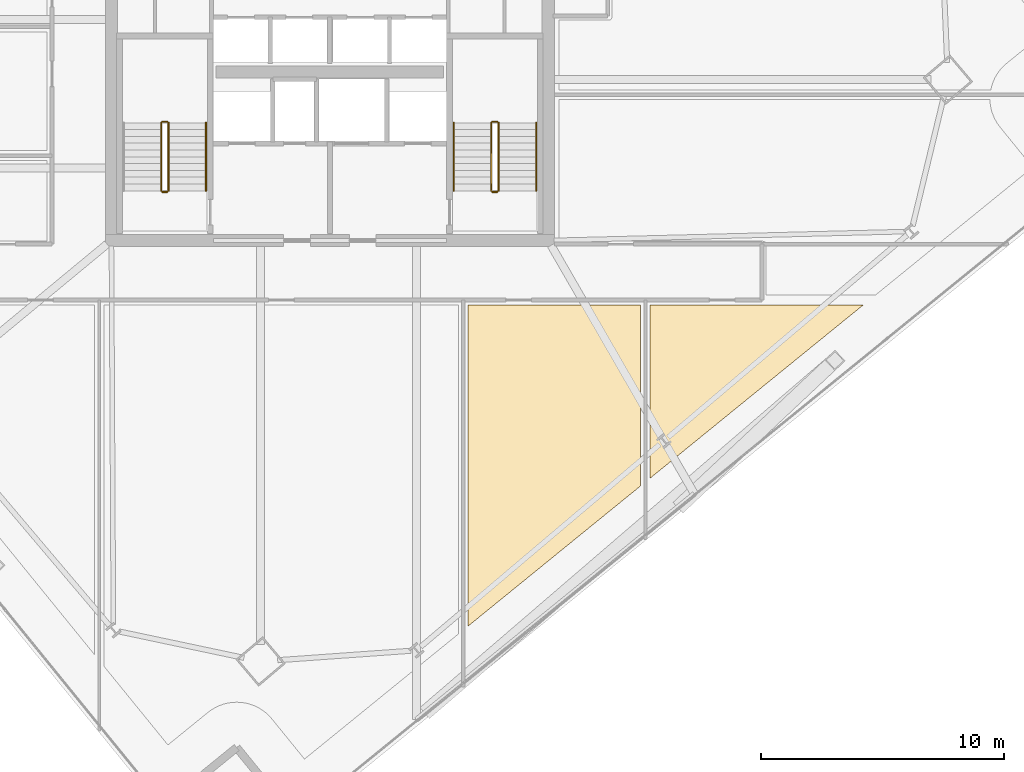
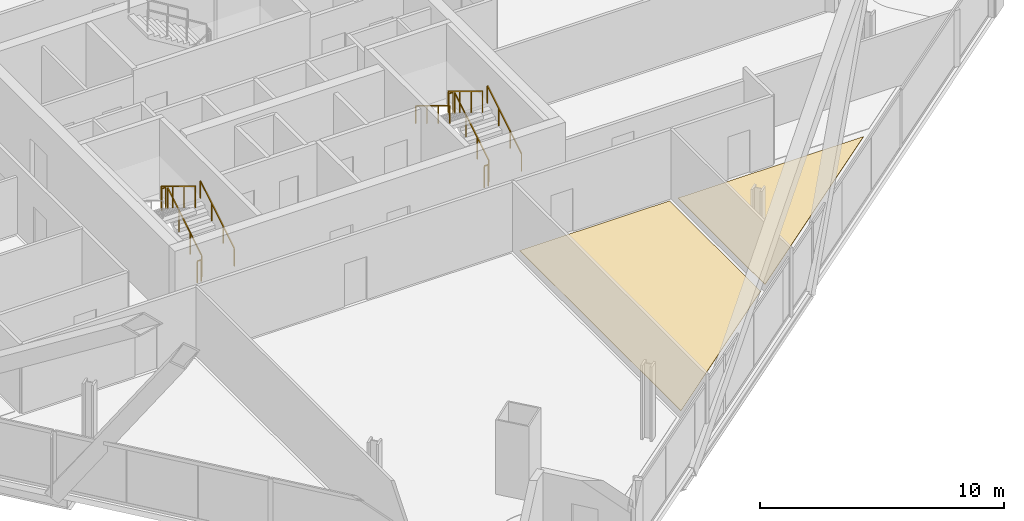
# One storey, part 33 of 36: 11 railings, 2 coverings.
"""IFC4 building model written with IfcOpenShell, lengths in metres."""

from ifc_helpers import new_model, si_unit, direction, frame, origin, origin_2d, place, context, subcontext, project, spatial, polyline, rectangle, outline, extrude, material, layer, layer_set, type_object, element, save


model = new_model("IFC4")

# Units and contexts
model_context = context("Model", 3, precision=1e-05, world=origin(), true_north=direction((0.0, 1.0)))
body_context = subcontext(model_context, "Body", "Model", "MODEL_VIEW")
ifc_project = project(units=[si_unit("LENGTHUNIT", "METRE"), si_unit("AREAUNIT", "SQUARE_METRE"), si_unit("VOLUMEUNIT", "CUBIC_METRE"), si_unit("PLANEANGLEUNIT", "RADIAN"), si_unit("MASSUNIT", "GRAM", prefix="KILO")], contexts=[model_context])

# Site, building, storey
site_placement = place(None, origin())
site = spatial("IfcSite", under=ifc_project, at=site_placement, CompositionType="ELEMENT")
building_placement = place(site_placement, origin())
building = spatial("IfcBuilding", under=site, at=building_placement, Name="Haldenkirk Collegiate Tower", CompositionType="ELEMENT")
storey_placement = place(building_placement, frame((0.0, 0.0, 159.449951171875)))
storey = spatial("IfcBuildingStorey", under=building, at=storey_placement, Name="L39", CompositionType="ELEMENT", Elevation=159.449951171875)

# Coverings
ifc_material_1 = material(Name="Polished collegiate terrazzo", Category="concrete")
ifc_layer_1 = layer(ifc_material_1, 0.02490234375)
ifc_layer_set_1 = layer_set([ifc_layer_1], Name="Polished collegiate terrazzo")
covering_type_1 = type_object("IfcCoveringType", Name="COV-FLOOR-TERRAZZO", PredefinedType="FLOORING", material=ifc_layer_set_1)
covering_1_placement = place(storey_placement, origin())
element("IfcCovering", 1, at=covering_1_placement, inside=storey, type_object=covering_type_1, Name="L39 academic room finish 04", PredefinedType="FLOORING", context=body_context, shape_type="SweptSolid", body=[
    extrude(outline(polyline([(49.199951171875, 8.211181640625), (49.199951171875, 15.35009765625), (57.984619140625, 15.35009765625), (49.199951171875, 8.211181640625)])), origin(), (0.0, 0.0, 1.0), 0.025146484375),
])
ifc_material_2 = material(Name="Engineered collegiate oak acoustic flooring", Category="wood")
ifc_layer_2 = layer(ifc_material_2, 0.02197265625)
ifc_layer_set_2 = layer_set([ifc_layer_2], Name="Engineered collegiate oak acoustic flooring")
covering_type_2 = type_object("IfcCoveringType", Name="COV-FLOOR-TIMBER", PredefinedType="FLOORING", material=ifc_layer_set_2)
covering_2_placement = place(storey_placement, origin())
element("IfcCovering", 2, at=covering_2_placement, inside=storey, type_object=covering_type_2, Name="L39 academic room finish 03", PredefinedType="FLOORING", context=body_context, shape_type="SweptSolid", body=[
    extrude(outline(polyline([(41.699951171875, 2.115966796875), (41.699951171875, 15.35009765625), (48.800048828125, 15.35009765625), (48.800048828125, 7.885986328125), (41.699951171875, 2.115966796875)])), origin(), (0.0, 0.0, 1.0), 0.02197265625),
])

# Railings
ifc_material_3 = material(Name="Painted architectural tubular steel", Category="steel")
railing_type_1 = type_object("IfcRailingType", Name="RLG-STAIR-GUARD-1100", PredefinedType="BALUSTRADE", material=ifc_material_3)
railing_1_placement = place(storey_placement, frame((29.35009765625, 20.050048828125, 0.17041015625)))
element("IfcRailing", 3, at=railing_1_placement, inside=storey, type_object=railing_type_1, Name="L39 ST-1 stair guard 1", PredefinedType="BALUSTRADE", context=body_context, shape_type="SweptSolid", body=[
    extrude(rectangle(XDim=0.048095703125, YDim=0.048095703125, at=origin_2d()), frame((0.0, 0.0, 1.076171875), z_axis=(0.0, 0.854169791009, 0.51999420009), x_axis=(-1.0, 0.0, 0.0)), (0.0, 0.0, 1.0), 3.278076171875),
    extrude(rectangle(XDim=0.0419921875, YDim=0.0419921875, at=origin_2d()), origin(), (0.0, 0.0, 1.0), 1.052001953125),
    extrude(rectangle(XDim=0.0419921875, YDim=0.0419921875, at=origin_2d()), frame((0.0, 0.933349609375, 0.568115234375)), (0.0, 0.0, 1.0), 1.052001953125),
    extrude(rectangle(XDim=0.0419921875, YDim=0.0419921875, at=origin_2d()), frame((0.0, 1.86669921875, 1.136474609375)), (0.0, 0.0, 1.0), 1.052001953125),
    extrude(rectangle(XDim=0.0419921875, YDim=0.0419921875, at=origin_2d()), frame((0.0, 2.800048828125, 1.70458984375)), (0.0, 0.0, 1.0), 1.052001953125),
])
railing_2_placement = place(storey_placement, frame((29.300048828125, 22.89990234375, 1.875)))
element("IfcRailing", 4, at=railing_2_placement, inside=storey, type_object=railing_type_1, Name="L39 ST-1 stair guard 2", PredefinedType="BALUSTRADE", context=body_context, shape_type="SweptSolid", body=[
    extrude(rectangle(XDim=0.048095703125, YDim=0.048095703125, at=origin_2d()), frame((0.0, 0.0, 1.076171875), z_axis=(-1.0, 0.0, 0.0), x_axis=(0.0, -1.0, 0.0)), (0.0, 0.0, 1.0), 0.199951171875),
    extrude(rectangle(XDim=0.0419921875, YDim=0.0419921875, at=origin_2d()), origin(), (0.0, 0.0, 1.0), 1.052001953125),
    extrude(rectangle(XDim=0.0419921875, YDim=0.0419921875, at=origin_2d()), frame((-0.199951171875, 0.0, 0.0)), (0.0, 0.0, 1.0), 1.052001953125),
])
railing_3_placement = place(storey_placement, frame((29.050048828125, 22.85009765625, 2.04541015625)))
element("IfcRailing", 5, at=railing_3_placement, inside=storey, type_object=railing_type_1, Name="L39 ST-1 stair guard 3", PredefinedType="BALUSTRADE", context=body_context, shape_type="SweptSolid", body=[
    extrude(rectangle(XDim=0.048095703125, YDim=0.048095703125, at=origin_2d()), frame((0.0, 0.0, 1.076171875), z_axis=(0.0, -0.854169791009, 0.51999420009), x_axis=(1.0, 0.0, 0.0)), (0.0, 0.0, 1.0), 3.278076171875),
    extrude(rectangle(XDim=0.0419921875, YDim=0.0419921875, at=origin_2d()), origin(), (0.0, 0.0, 1.0), 1.052001953125),
    extrude(rectangle(XDim=0.0419921875, YDim=0.0419921875, at=origin_2d()), frame((0.0, -0.933349609375, 0.568115234375)), (0.0, 0.0, 1.0), 1.052001953125),
    extrude(rectangle(XDim=0.0419921875, YDim=0.0419921875, at=origin_2d()), frame((0.0, -1.86669921875, 1.136474609375)), (0.0, 0.0, 1.0), 1.052001953125),
    extrude(rectangle(XDim=0.0419921875, YDim=0.0419921875, at=origin_2d()), frame((0.0, -2.800048828125, 1.70458984375)), (0.0, 0.0, 1.0), 1.052001953125),
])
railing_4_placement = place(storey_placement, frame((29.300048828125, 20.0, 0.0)))
element("IfcRailing", 6, at=railing_4_placement, inside=storey, type_object=railing_type_1, Name="L39 ST-1 stair guard 4", PredefinedType="BALUSTRADE", context=body_context, shape_type="SweptSolid", body=[
    extrude(rectangle(XDim=0.048095703125, YDim=0.048095703125, at=origin_2d()), frame((0.0, 0.0, 1.076171875), z_axis=(-1.0, 0.0, 0.0), x_axis=(0.0, -1.0, 0.0)), (0.0, 0.0, 1.0), 0.199951171875),
    extrude(rectangle(XDim=0.0419921875, YDim=0.0419921875, at=origin_2d()), origin(), (0.0, 0.0, 1.0), 1.052001953125),
    extrude(rectangle(XDim=0.0419921875, YDim=0.0419921875, at=origin_2d()), frame((-0.199951171875, 0.0, 0.0)), (0.0, 0.0, 1.0), 1.052001953125),
])
railing_5_placement = place(storey_placement, frame((42.949951171875, 20.050048828125, 0.17041015625)))
element("IfcRailing", 7, at=railing_5_placement, inside=storey, type_object=railing_type_1, Name="L39 ST-2 stair guard 1", PredefinedType="BALUSTRADE", context=body_context, shape_type="SweptSolid", body=[
    extrude(rectangle(XDim=0.048095703125, YDim=0.048095703125, at=origin_2d()), frame((0.0, 0.0, 1.076171875), z_axis=(0.0, 0.854169791009, 0.51999420009), x_axis=(-1.0, 0.0, 0.0)), (0.0, 0.0, 1.0), 3.278076171875),
    extrude(rectangle(XDim=0.0419921875, YDim=0.0419921875, at=origin_2d()), origin(), (0.0, 0.0, 1.0), 1.052001953125),
    extrude(rectangle(XDim=0.0419921875, YDim=0.0419921875, at=origin_2d()), frame((0.0, 0.933349609375, 0.568115234375)), (0.0, 0.0, 1.0), 1.052001953125),
    extrude(rectangle(XDim=0.0419921875, YDim=0.0419921875, at=origin_2d()), frame((0.0, 1.86669921875, 1.136474609375)), (0.0, 0.0, 1.0), 1.052001953125),
    extrude(rectangle(XDim=0.0419921875, YDim=0.0419921875, at=origin_2d()), frame((0.0, 2.800048828125, 1.70458984375)), (0.0, 0.0, 1.0), 1.052001953125),
])
railing_6_placement = place(storey_placement, frame((42.89990234375, 22.89990234375, 1.875)))
element("IfcRailing", 8, at=railing_6_placement, inside=storey, type_object=railing_type_1, Name="L39 ST-2 stair guard 2", PredefinedType="BALUSTRADE", context=body_context, shape_type="SweptSolid", body=[
    extrude(rectangle(XDim=0.048095703125, YDim=0.048095703125, at=origin_2d()), frame((0.0, 0.0, 1.076171875), z_axis=(-1.0, 0.0, 0.0), x_axis=(0.0, -1.0, 0.0)), (0.0, 0.0, 1.0), 0.199951171875),
    extrude(rectangle(XDim=0.0419921875, YDim=0.0419921875, at=origin_2d()), origin(), (0.0, 0.0, 1.0), 1.052001953125),
    extrude(rectangle(XDim=0.0419921875, YDim=0.0419921875, at=origin_2d()), frame((-0.199951171875, 0.0, 0.0)), (0.0, 0.0, 1.0), 1.052001953125),
])
railing_7_placement = place(storey_placement, frame((42.64990234375, 22.85009765625, 2.04541015625)))
element("IfcRailing", 9, at=railing_7_placement, inside=storey, type_object=railing_type_1, Name="L39 ST-2 stair guard 3", PredefinedType="BALUSTRADE", context=body_context, shape_type="SweptSolid", body=[
    extrude(rectangle(XDim=0.048095703125, YDim=0.048095703125, at=origin_2d()), frame((0.0, 0.0, 1.076171875), z_axis=(0.0, -0.854169791009, 0.51999420009), x_axis=(1.0, 0.0, 0.0)), (0.0, 0.0, 1.0), 3.278076171875),
    extrude(rectangle(XDim=0.0419921875, YDim=0.0419921875, at=origin_2d()), origin(), (0.0, 0.0, 1.0), 1.052001953125),
    extrude(rectangle(XDim=0.0419921875, YDim=0.0419921875, at=origin_2d()), frame((0.0, -0.933349609375, 0.568115234375)), (0.0, 0.0, 1.0), 1.052001953125),
    extrude(rectangle(XDim=0.0419921875, YDim=0.0419921875, at=origin_2d()), frame((0.0, -1.86669921875, 1.136474609375)), (0.0, 0.0, 1.0), 1.052001953125),
    extrude(rectangle(XDim=0.0419921875, YDim=0.0419921875, at=origin_2d()), frame((0.0, -2.800048828125, 1.70458984375)), (0.0, 0.0, 1.0), 1.052001953125),
])
railing_8_placement = place(storey_placement, frame((42.89990234375, 20.0, 0.0)))
element("IfcRailing", 10, at=railing_8_placement, inside=storey, type_object=railing_type_1, Name="L39 ST-2 stair guard 4", PredefinedType="BALUSTRADE", context=body_context, shape_type="SweptSolid", body=[
    extrude(rectangle(XDim=0.048095703125, YDim=0.048095703125, at=origin_2d()), frame((0.0, 0.0, 1.076171875), z_axis=(-1.0, 0.0, 0.0), x_axis=(0.0, -1.0, 0.0)), (0.0, 0.0, 1.0), 0.199951171875),
    extrude(rectangle(XDim=0.0419921875, YDim=0.0419921875, at=origin_2d()), origin(), (0.0, 0.0, 1.0), 1.052001953125),
    extrude(rectangle(XDim=0.0419921875, YDim=0.0419921875, at=origin_2d()), frame((-0.199951171875, 0.0, 0.0)), (0.0, 0.0, 1.0), 1.052001953125),
])
railing_type_2 = type_object("IfcRailingType", Name="RLG-STAIR-HANDRAIL-900", PredefinedType="HANDRAIL", material=ifc_material_3)
for number, where, name in (
    (11, (30.89990234375, 20.050048828125, 0.17041015625), "L39 ST-1 stair handrail 1"),
    (12, (44.5, 20.050048828125, 0.17041015625), "L39 ST-2 stair handrail 1"),
):
    element("IfcRailing", number, at=place(storey_placement, frame(where)), inside=storey, type_object=railing_type_2, Name=name, PredefinedType="HANDRAIL", context=body_context, shape_type="SweptSolid", body=[
        extrude(rectangle(XDim=0.048095703125, YDim=0.048095703125, at=origin_2d()), frame((0.0, 0.0, 0.8759765625), z_axis=(0.0, 0.854169791009, 0.51999420009), x_axis=(-1.0, 0.0, 0.0)), (0.0, 0.0, 1.0), 3.278076171875),
        extrude(rectangle(XDim=0.0419921875, YDim=0.0419921875, at=origin_2d()), origin(), (0.0, 0.0, 1.0), 0.851806640625),
        extrude(rectangle(XDim=0.0419921875, YDim=0.0419921875, at=origin_2d()), frame((0.0, 0.933349609375, 0.568115234375)), (0.0, 0.0, 1.0), 0.851806640625),
        extrude(rectangle(XDim=0.0419921875, YDim=0.0419921875, at=origin_2d()), frame((0.0, 1.86669921875, 1.136474609375)), (0.0, 0.0, 1.0), 0.851806640625),
        extrude(rectangle(XDim=0.0419921875, YDim=0.0419921875, at=origin_2d()), frame((0.0, 2.800048828125, 1.70458984375)), (0.0, 0.0, 1.0), 0.851806640625),
    ])
railing_9_placement = place(storey_placement, frame((41.10009765625, 22.85009765625, 2.04541015625)))
element("IfcRailing", 13, at=railing_9_placement, inside=storey, type_object=railing_type_2, Name="L39 ST-2 stair handrail 2", PredefinedType="HANDRAIL", context=body_context, shape_type="SweptSolid", body=[
    extrude(rectangle(XDim=0.048095703125, YDim=0.048095703125, at=origin_2d()), frame((0.0, 0.0, 0.8759765625), z_axis=(0.0, -0.854169791009, 0.51999420009), x_axis=(1.0, 0.0, 0.0)), (0.0, 0.0, 1.0), 3.278076171875),
    extrude(rectangle(XDim=0.0419921875, YDim=0.0419921875, at=origin_2d()), origin(), (0.0, 0.0, 1.0), 0.851806640625),
    extrude(rectangle(XDim=0.0419921875, YDim=0.0419921875, at=origin_2d()), frame((0.0, -0.933349609375, 0.568115234375)), (0.0, 0.0, 1.0), 0.851806640625),
    extrude(rectangle(XDim=0.0419921875, YDim=0.0419921875, at=origin_2d()), frame((0.0, -1.86669921875, 1.136474609375)), (0.0, 0.0, 1.0), 0.851806640625),
    extrude(rectangle(XDim=0.0419921875, YDim=0.0419921875, at=origin_2d()), frame((0.0, -2.800048828125, 1.70458984375)), (0.0, 0.0, 1.0), 0.851806640625),
])

save(model, "model.ifc")
